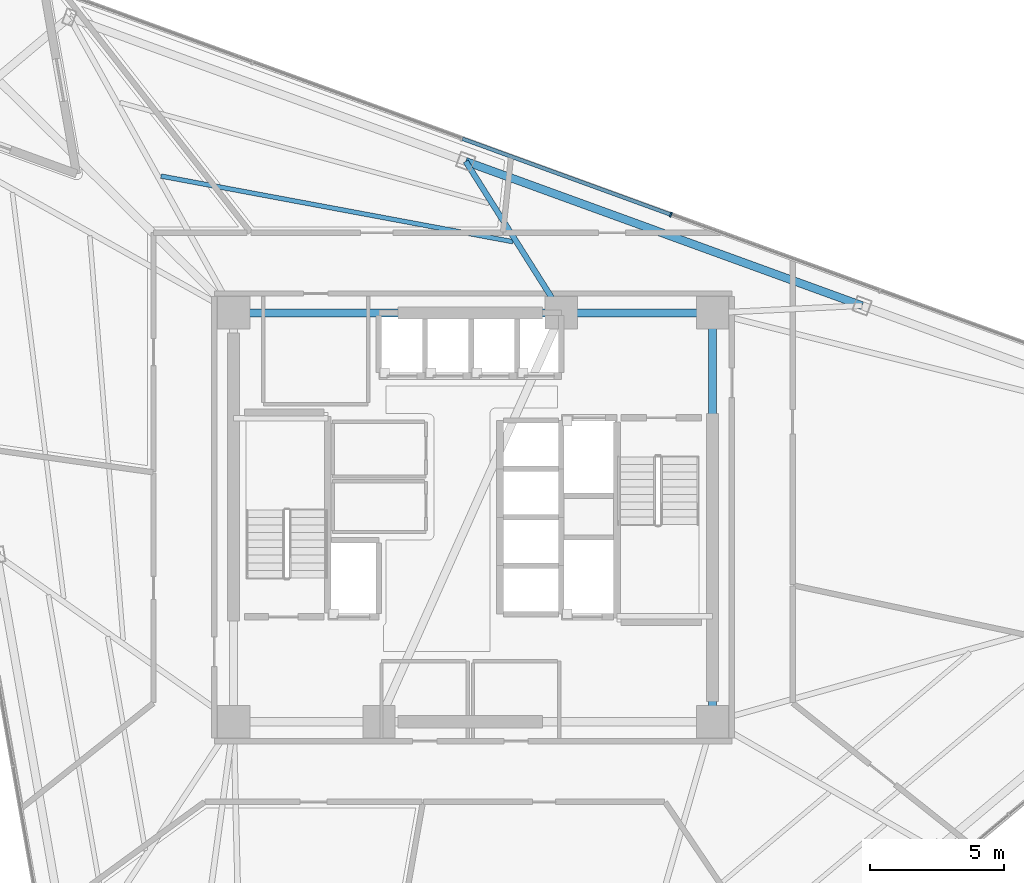
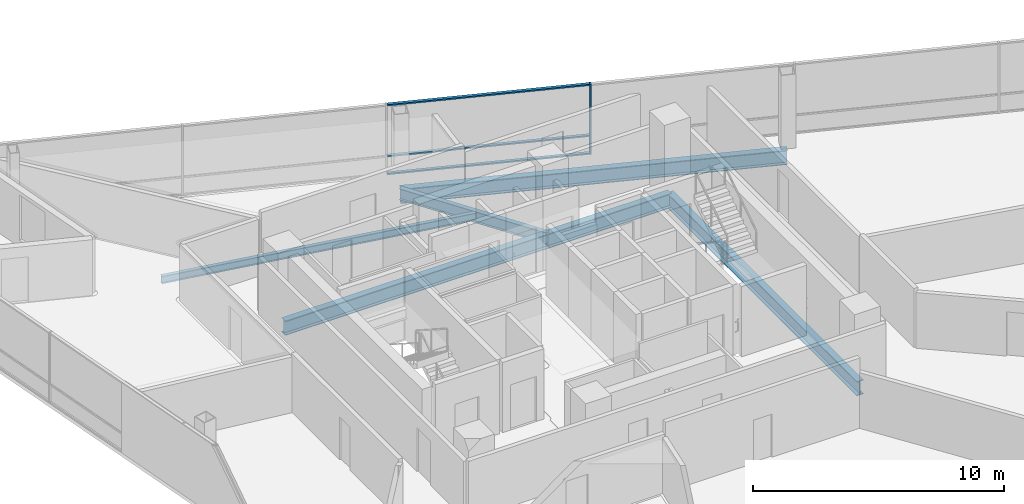
# One storey, part 6 of 16: 6 beams, 4 members, 1 element without a shape of its own.
"""IFC4 building model written with IfcOpenShell, lengths in metres."""

from ifc_helpers import new_model, si_unit, direction, frame, origin, origin_2d, place, context, subcontext, project, spatial, rectangle, i_section, extrude, material, layer, layer_set, material_profile, profile_set, type_object, element, aggregate, save


model = new_model("IFC4")

# Units and contexts
model_context = context("Model", 3, precision=1e-05, world=origin(), true_north=direction((0.0, 1.0)))
body_context = subcontext(model_context, "Body", "Model", "MODEL_VIEW")
ifc_project = project(units=[si_unit("LENGTHUNIT", "METRE"), si_unit("AREAUNIT", "SQUARE_METRE"), si_unit("VOLUMEUNIT", "CUBIC_METRE"), si_unit("PLANEANGLEUNIT", "RADIAN"), si_unit("MASSUNIT", "GRAM", prefix="KILO")], contexts=[model_context])

# Site, building, storey
site_placement = place(None, origin())
site = spatial("IfcSite", under=ifc_project, at=site_placement, CompositionType="ELEMENT")
building_placement = place(site_placement, origin())
building = spatial("IfcBuilding", under=site, at=building_placement, Name="Tharavind Bronze Gate", CompositionType="ELEMENT")
storey_placement = place(building_placement, frame((0.0, 0.0, 181.300048828125)))
storey = spatial("IfcBuildingStorey", under=building, at=storey_placement, Name="L46", CompositionType="ELEMENT", Elevation=181.300048828125)

# Curtain wall, members
ifc_material_1 = material(Name="Anodised Bronze Aluminium", Category="aluminium")
ifc_layer = layer(ifc_material_1, 0.219970703125)
ifc_layer_set = layer_set([ifc_layer], Name="Anodised Bronze Aluminium")
curtain_wall_type = type_object("IfcCurtainWallType", Name="UNITISED CURTAIN WALL MID OFFICE", PredefinedType="USERDEFINED", material=ifc_layer_set)
curtain_wall_placement = place(storey_placement, origin())
curtain_wall = element("IfcCurtainWall", 1, at=curtain_wall_placement, inside=storey, type_object=curtain_wall_type, Name="L46 unitised curtain wall mid office CW-L46-S3", ObjectType="UNITISED CURTAIN WALL", PredefinedType="USERDEFINED")
member_type_1 = type_object("IfcMemberType", Name="CURTAIN WALL BRONZE MULLION 65X180", PredefinedType="MULLION", material=ifc_material_1)
member_1_placement = place(storey_placement, frame((7.35009765625, 11.25439453125, 0.0), z_axis=(0.0, 0.0, 1.0), x_axis=(-0.939692023847, 0.342021783398, 0.0)))
member_1 = element("IfcMember", 2, at=member_1_placement, type_object=member_type_1, Name="CW-L46-S3 mullion 4", PredefinedType="MULLION", context=body_context, shape_type="SweptSolid", body=[
    extrude(rectangle(XDim=0.06494140625, YDim=0.179931640625, at=origin_2d()), origin(), (0.0, 0.0, 1.0), 3.419921875),
])
member_type_2 = type_object("IfcMemberType", Name="CURTAIN WALL BRONZE TRANSOM 65X140", PredefinedType="USERDEFINED", material=ifc_material_1)
member_2_placement = place(storey_placement, frame((3.462890625, 12.669189453125, 0.0), z_axis=(0.0, 0.0, 1.0), x_axis=(-0.939692023847, 0.342021783398, 0.0)))
member_2 = element("IfcMember", 3, at=member_2_placement, type_object=member_type_2, Name="CW-L46-S3 transom TB4", ObjectType="TRANSOM", PredefinedType="USERDEFINED", context=body_context, shape_type="SweptSolid", body=[
    extrude(rectangle(XDim=8.220458984375, YDim=0.139892578125, at=origin_2d()), origin(), (0.0, 0.0, 1.0), 0.06494140625),
])
member_3_placement = place(storey_placement, frame((3.462890625, 12.669189453125, 0.867431640625), z_axis=(0.0, 0.0, 1.0), x_axis=(-0.939692023847, 0.342021783398, 0.0)))
member_3 = element("IfcMember", 4, at=member_3_placement, type_object=member_type_2, Name="CW-L46-S3 transom TS4", ObjectType="TRANSOM", PredefinedType="USERDEFINED", context=body_context, shape_type="SweptSolid", body=[
    extrude(rectangle(XDim=8.220458984375, YDim=0.139892578125, at=origin_2d()), origin(), (0.0, 0.0, 1.0), 0.06494140625),
])
member_4_placement = place(storey_placement, frame((3.462890625, 12.669189453125, 3.35498046875), z_axis=(0.0, 0.0, 1.0), x_axis=(-0.939692023847, 0.342021783398, 0.0)))
member_4 = element("IfcMember", 5, at=member_4_placement, type_object=member_type_2, Name="CW-L46-S3 transom TT4", ObjectType="TRANSOM", PredefinedType="USERDEFINED", context=body_context, shape_type="SweptSolid", body=[
    extrude(rectangle(XDim=8.220458984375, YDim=0.139892578125, at=origin_2d()), origin(), (0.0, 0.0, 1.0), 0.06494140625),
])
aggregate(curtain_wall, [member_1, member_2, member_3, member_4])

# Beams
ifc_material_2 = material(Name="Steel S355", Category="steel")
ifc_material_profile_1 = material_profile(ifc_material_2, i_section(OverallWidth=0.2099609375, OverallDepth=0.550048828125, WebThickness=0.010986328125, FlangeThickness=0.01708984375, at=origin_2d()), Name="IPE550")
ifc_profile_set_1 = profile_set([ifc_material_profile_1], Name="Steel S355")
beam_type_1 = type_object("IfcBeamType", Name="PRIMARY GIRDER IPE550", PredefinedType="USERDEFINED", material=ifc_profile_set_1)
beam_1_placement = place(storey_placement, frame((-0.27392578125, 13.231201171875, -0.455078125), z_axis=(0.53372121288, -0.845660491522, 0.0), x_axis=(0.845660491522, 0.53372121288, 0.0)))
element("IfcBeam", 6, at=beam_1_placement, inside=storey, type_object=beam_type_1, Name="L46 primary girder ipe550 BM-L46-RAD11", ObjectType="GIRDER", PredefinedType="USERDEFINED", context=body_context, shape_type="SweptSolid", body=[
    extrude(i_section(OverallWidth=0.2099609375, OverallDepth=0.550048828125, WebThickness=0.010986328125, FlangeThickness=0.01708984375, at=origin_2d()), origin(), (0.0, 0.0, 1.0), 6.658935546875),
])
ifc_material_profile_2 = material_profile(ifc_material_2, i_section(OverallWidth=0.300048828125, OverallDepth=0.699951171875, WebThickness=0.01708984375, FlangeThickness=0.031982421875, at=origin_2d()), Name="HE700B")
ifc_profile_set_2 = profile_set([ifc_material_profile_2], Name="Steel S355")
beam_type_2 = type_object("IfcBeamType", Name="RING GIRDER HE700B", PredefinedType="USERDEFINED", material=ifc_profile_set_2)
beam_2_placement = place(storey_placement, frame((8.89990234375, -7.60009765625, -0.530029296875), z_axis=(0.0, 1.0, 0.0), x_axis=(-1.0, 0.0, 0.0)))
element("IfcBeam", 7, at=beam_2_placement, inside=storey, type_object=beam_type_2, Name="L46 ring girder he700b BM-L46-CR3", ObjectType="GIRDER", PredefinedType="USERDEFINED", context=body_context, shape_type="SweptSolid", body=[
    extrude(i_section(OverallWidth=0.300048828125, OverallDepth=0.699951171875, WebThickness=0.01708984375, FlangeThickness=0.031982421875, at=origin_2d()), origin(), (0.0, 0.0, 1.0), 15.2001953125),
])
beam_3_placement = place(storey_placement, frame((8.89990234375, 7.60009765625, -0.530029296875), z_axis=(-1.0, 0.0, 0.0), x_axis=(0.0, -1.0, 0.0)))
element("IfcBeam", 8, at=beam_3_placement, inside=storey, type_object=beam_type_2, Name="L46 ring girder he700b BM-L46-CR4", ObjectType="GIRDER", PredefinedType="USERDEFINED", context=body_context, shape_type="SweptSolid", body=[
    extrude(i_section(OverallWidth=0.300048828125, OverallDepth=0.699951171875, WebThickness=0.01708984375, FlangeThickness=0.031982421875, at=origin_2d()), origin(), (0.0, 0.0, 1.0), 5.619873046875),
])
beam_4_placement = place(storey_placement, frame((3.280029296875, 7.60009765625, -0.530029296875), z_axis=(-1.0, 0.0, 0.0), x_axis=(0.0, -1.0, 0.0)))
element("IfcBeam", 9, at=beam_4_placement, inside=storey, type_object=beam_type_2, Name="L46 ring girder he700b BM-L46-CR5", ObjectType="GIRDER", PredefinedType="USERDEFINED", context=body_context, shape_type="SweptSolid", body=[
    extrude(i_section(OverallWidth=0.300048828125, OverallDepth=0.699951171875, WebThickness=0.01708984375, FlangeThickness=0.031982421875, at=origin_2d()), origin(), (0.0, 0.0, 1.0), 12.179931640625),
])
beam_5_placement = place(storey_placement, frame((14.461181640625, 7.867919921875, -0.530029296875), z_axis=(-0.939689735949, 0.342028069246, 0.0), x_axis=(-0.342028069246, -0.939689735949, 0.0)))
element("IfcBeam", 10, at=beam_5_placement, inside=storey, type_object=beam_type_2, Name="L46 ring girder he700b BM-L46-PRG10", ObjectType="GIRDER", PredefinedType="USERDEFINED", context=body_context, shape_type="SweptSolid", body=[
    extrude(i_section(OverallWidth=0.300048828125, OverallDepth=0.699951171875, WebThickness=0.01708984375, FlangeThickness=0.031982421875, at=origin_2d()), origin(), (0.0, 0.0, 1.0), 15.680908203125),
])
ifc_material_profile_3 = material_profile(ifc_material_2, i_section(OverallWidth=0.169921875, OverallDepth=0.360107421875, WebThickness=0.008056640625, FlangeThickness=0.0126953125, at=origin_2d()), Name="IPE360")
ifc_profile_set_3 = profile_set([ifc_material_profile_3], Name="Steel S355")
beam_type_3 = type_object("IfcBeamType", Name="SECONDARY FLOOR JOIST IPE360", PredefinedType="JOIST", material=ifc_profile_set_3)
beam_6_placement = place(storey_placement, frame((1.48291015625, 10.245361328125, -0.360107421875), z_axis=(-0.98304057782, 0.183388173989, 0.0), x_axis=(-0.183388173989, -0.98304057782, 0.0)))
element("IfcBeam", 11, at=beam_6_placement, inside=storey, type_object=beam_type_3, Name="L46 secondary floor joist ipe360 BM-L46-JSTA11", PredefinedType="JOIST", context=body_context, shape_type="SweptSolid", body=[
    extrude(i_section(OverallWidth=0.169921875, OverallDepth=0.360107421875, WebThickness=0.008056640625, FlangeThickness=0.0126953125, at=origin_2d()), origin(), (0.0, 0.0, 1.0), 13.3115234375),
])

save(model, "model.ifc")
